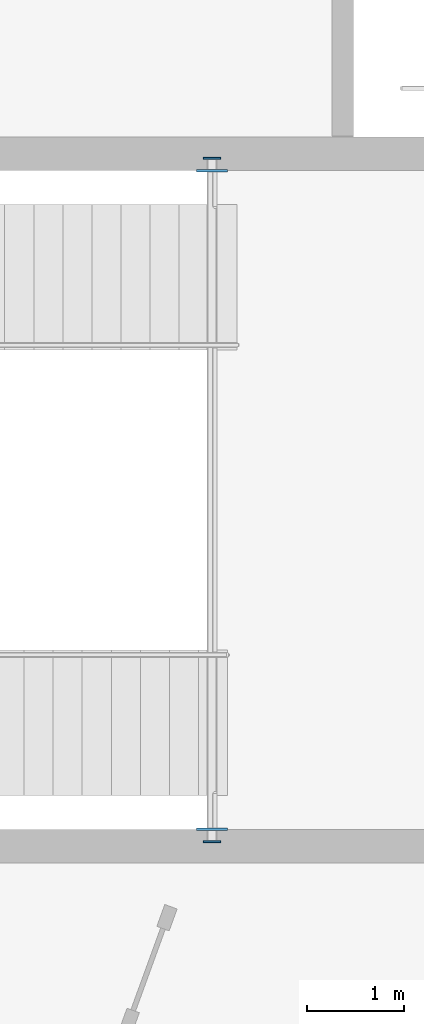
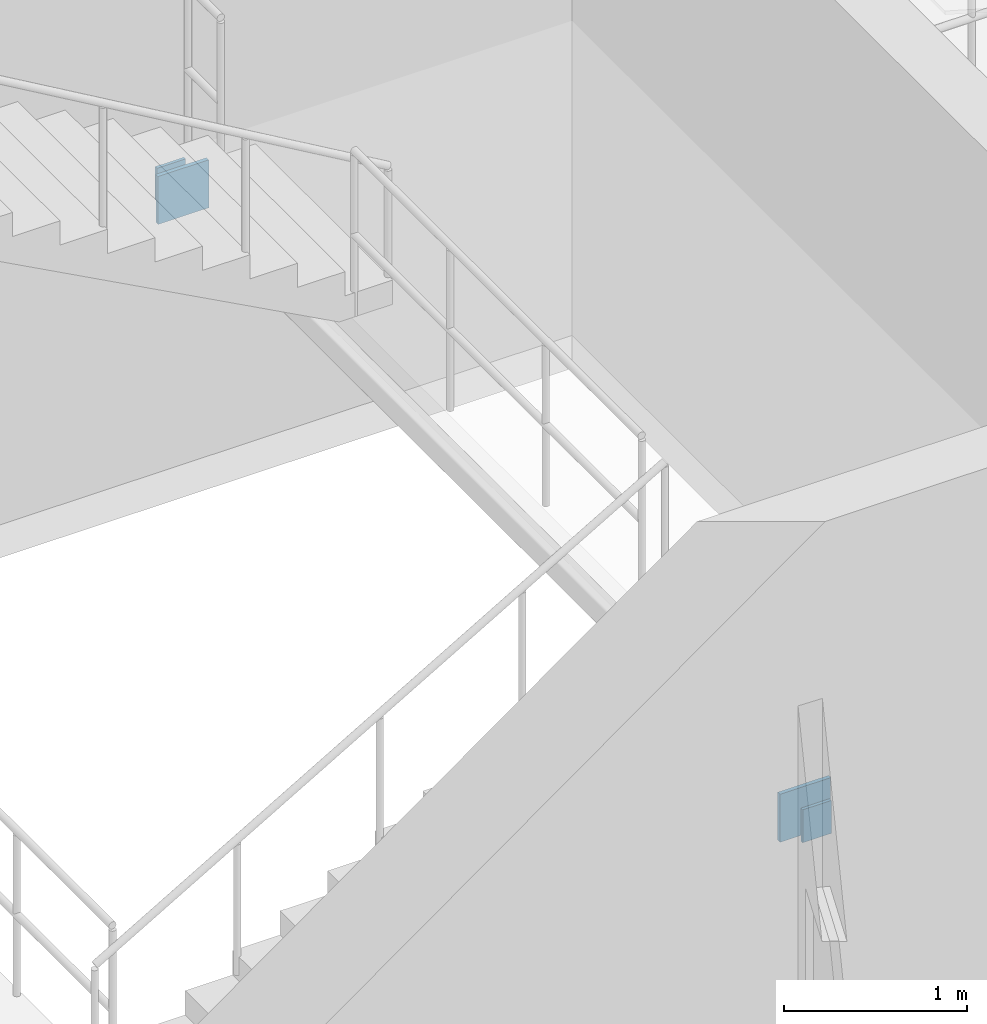
# One storey, part 109 of 148: 4 plates.
"""IFC4 building model written with IfcOpenShell, lengths in metres."""

from ifc_helpers import new_model, si_unit, direction, frame, origin, origin_2d, place, context, subcontext, project, spatial, rectangle, extrude, material, layer, layer_set, type_object, element, save


model = new_model("IFC4")

# Units and contexts
model_context = context("Model", 3, precision=1e-05, world=origin(), true_north=direction((0.0, 1.0)))
body_context = subcontext(model_context, "Body", "Model", "MODEL_VIEW")
ifc_project = project(units=[si_unit("LENGTHUNIT", "METRE"), si_unit("AREAUNIT", "SQUARE_METRE"), si_unit("VOLUMEUNIT", "CUBIC_METRE"), si_unit("PLANEANGLEUNIT", "RADIAN"), si_unit("MASSUNIT", "GRAM", prefix="KILO"), si_unit("THERMODYNAMICTEMPERATUREUNIT", "KELVIN"), si_unit("POWERUNIT", "WATT")], contexts=[model_context])

# Site, building, storey
site_placement = place(None, origin())
site = spatial("IfcSite", under=ifc_project, at=site_placement, CompositionType="ELEMENT")
building_placement = place(site_placement, origin())
building = spatial("IfcBuilding", under=site, at=building_placement, Name="Solvatero Civic Police Headquarters", CompositionType="ELEMENT")
storey_placement = place(building_placement, frame((0.0, 0.0, 5.10009765625)))
storey = spatial("IfcBuildingStorey", under=building, at=storey_placement, Name="L01", CompositionType="ELEMENT", Elevation=5.10009765625)

# Plates
ifc_material = material(Name="Steel S355", Category="steel")
ifc_layer_1 = layer(ifc_material, 0.02001953125)
ifc_layer_set_1 = layer_set([ifc_layer_1], Name="Steel S355")
plate_type_1 = type_object("IfcPlateType", Name="PLT-CAP-20", PredefinedType="SHEET", material=ifc_layer_set_1)
for number, where, z_axis, x_axis, name in (
    (1, (46.139892578125, 42.469970703125, 1.71484375), (0.0, 0.0, 1.0), (1.0, 0.0, 0.0), "Hollow Section Cap Plate 0025"),
    (2, (46.139892578125, 49.530029296875, 1.71484375), (0.0, 0.0, 1.0), (1.0, 0.0, 0.0), "Hollow Section Cap Plate 0026"),
):
    element("IfcPlate", number, at=place(storey_placement, frame(where, z_axis=z_axis, x_axis=x_axis)), inside=storey, type_object=plate_type_1, Name=name, PredefinedType="SHEET", context=body_context, shape_type="SweptSolid", body=[
        extrude(rectangle(XDim=0.179931640625, YDim=0.02001953125, at=origin_2d()), origin(), (0.0, 0.0, 1.0), 0.219970703125),
    ])
ifc_layer_2 = layer(ifc_material, 0.02490234375)
ifc_layer_set_2 = layer_set([ifc_layer_2], Name="Steel S355")
plate_type_2 = type_object("IfcPlateType", Name="PLT-EMB-25", PredefinedType="SHEET", material=ifc_layer_set_2)
for number, where, z_axis, x_axis, name in (
    (3, (46.139892578125, 42.60009765625, 1.6650390625), (0.0, 0.0, 1.0), (1.0, 0.0, 0.0), "Cast-In Shear Wall Embed Plate 0025"),
    (4, (46.139892578125, 49.39990234375, 1.6650390625), (0.0, 0.0, 1.0), (1.0, 0.0, 0.0), "Cast-In Shear Wall Embed Plate 0026"),
):
    element("IfcPlate", number, at=place(storey_placement, frame(where, z_axis=z_axis, x_axis=x_axis)), inside=storey, type_object=plate_type_2, Name=name, PredefinedType="SHEET", context=body_context, shape_type="SweptSolid", body=[
        extrude(rectangle(XDim=0.320068359375, YDim=0.02490234375, at=origin_2d()), origin(), (0.0, 0.0, 1.0), 0.320068359375),
    ])

save(model, "model.ifc")
